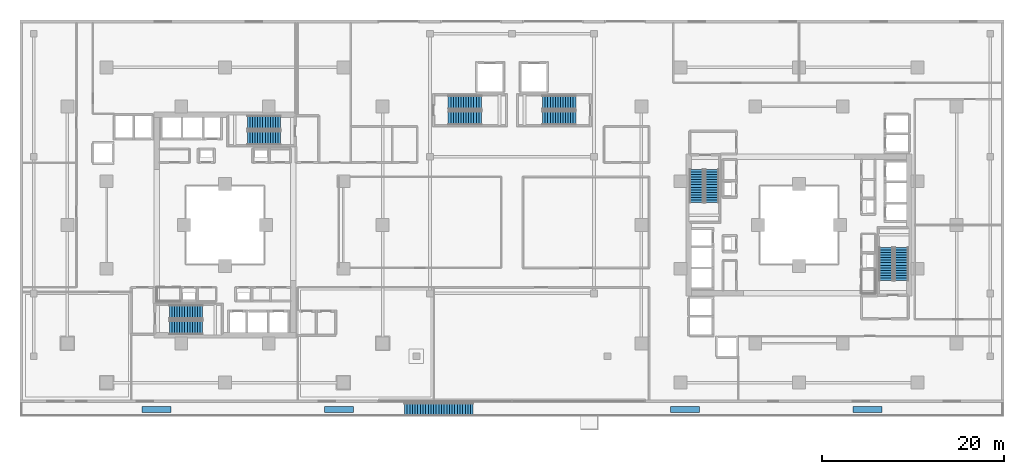
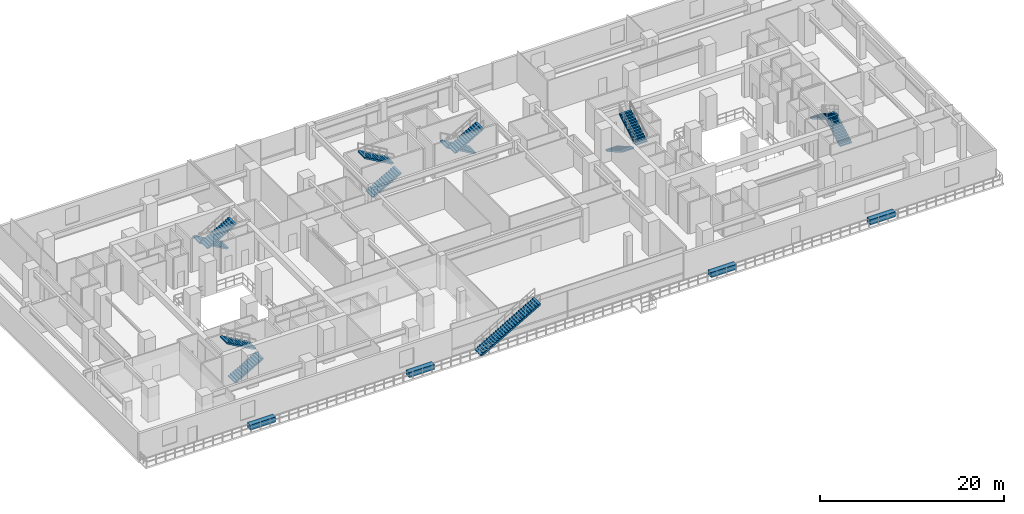
# One storey, part 20 of 25: 13 stair flights, 4 discrete accessories, 7 elements without a shape of their own.
"""IFC4 building model written with IfcOpenShell, lengths in metres."""

from ifc_helpers import new_model, si_unit, direction, frame, origin, origin_2d, place, context, subcontext, project, spatial, polyline, rectangle, outline, extrude, material, type_object, element, aggregate, save


model = new_model("IFC4")

# Units and contexts
model_context = context("Model", 3, precision=1e-05, world=origin(), true_north=direction((0.0, 1.0)))
body_context = subcontext(model_context, "Body", "Model", "MODEL_VIEW")
ifc_project = project(units=[si_unit("LENGTHUNIT", "METRE"), si_unit("AREAUNIT", "SQUARE_METRE"), si_unit("VOLUMEUNIT", "CUBIC_METRE"), si_unit("PLANEANGLEUNIT", "RADIAN"), si_unit("MASSUNIT", "GRAM", prefix="KILO")], contexts=[model_context])

# Site, building, storey
site_placement = place(None, origin())
site = spatial("IfcSite", under=ifc_project, at=site_placement, CompositionType="ELEMENT")
building_placement = place(site_placement, origin())
building = spatial("IfcBuilding", under=site, at=building_placement, Name="Thornwick Lancets Civic Towers", CompositionType="ELEMENT")
storey_placement = place(building_placement, frame((0.0, 0.0, 9.60009765625)))
storey = spatial("IfcBuildingStorey", under=building, at=storey_placement, Name="L02", CompositionType="ELEMENT", Elevation=9.60009765625)

# Stair, stair flights
ifc_material_1 = material(Name="Concrete C40/50", Category="concrete")
stair_type_1 = type_object("IfcStairType", Name="STAIR_DL_4500", PredefinedType="HALF_TURN_STAIR", material=ifc_material_1)
stair_1_placement = place(storey_placement, origin())
stair_1 = element("IfcStair", 1, at=stair_1_placement, inside=storey, type_object=stair_type_1, Name="L02 Tower A South Exit Stair ST-A1", PredefinedType="HALF_TURN_STAIR")
stair_flight_type_1 = type_object("IfcStairFlightType", Name="FLIGHT_4500", PredefinedType="STRAIGHT", material=ifc_material_1)
stair_flight_1_placement = place(storey_placement, frame((19.39990234375, 15.75, 0.0), z_axis=(0.0, 0.0, 1.0), x_axis=(1.0, 0.0, 0.0)))
stair_flight_1 = element("IfcStairFlight", 2, at=stair_flight_1_placement, type_object=stair_flight_type_1, Name="ST-A1 flight 1", NumberOfRisers=14, NumberOfTreads=13, PredefinedType="STRAIGHT", RiserHeight=0.160714286, TreadLength=0.28, context=body_context, shape_type="SweptSolid", body=[
    extrude(outline(polyline([(0.0, 0.0), (0.0, 0.16064453125), (0.280029296875, 0.16064453125), (0.280029296875, 0.321533203125), (0.56005859375, 0.321533203125), (0.56005859375, 0.482177734375), (0.840087890625, 0.482177734375), (0.840087890625, 0.642822265625), (1.1201171875, 0.642822265625), (1.1201171875, 0.803466796875), (1.39990234375, 0.803466796875), (1.39990234375, 0.96435546875), (1.679931640625, 0.96435546875), (1.679931640625, 1.125), (1.9599609375, 1.125), (1.9599609375, 1.28564453125), (2.239990234375, 1.28564453125), (2.239990234375, 1.446533203125), (2.52001953125, 1.446533203125), (2.52001953125, 1.607177734375), (2.800048828125, 1.607177734375), (2.800048828125, 1.767822265625), (3.080078125, 1.767822265625), (3.080078125, 1.928466796875), (3.360107421875, 1.928466796875), (3.360107421875, 2.08935546875), (3.639892578125, 2.08935546875), (3.639892578125, 2.25), (3.639892578125, 1.91650390625), (0.301025390625, 0.0), (0.0, 0.0)])), frame((0.0, 0.75, 0.0), z_axis=(0.0, -1.0, 0.0), x_axis=(1.0, 0.0, 0.0)), (0.0, 0.0, 1.0), 1.5),
])
stair_flight_2_placement = place(storey_placement, frame((23.0400390625, 17.449951171875, 2.25), z_axis=(0.0, 0.0, 1.0), x_axis=(-1.0, 0.0, 0.0)))
stair_flight_2 = element("IfcStairFlight", 3, at=stair_flight_2_placement, type_object=stair_flight_type_1, Name="ST-A1 flight 2", NumberOfRisers=14, NumberOfTreads=13, PredefinedType="STRAIGHT", RiserHeight=0.160714286, TreadLength=0.28, context=body_context, shape_type="SweptSolid", body=[
    extrude(outline(polyline([(0.0, 0.0), (0.0, 0.16064453125), (0.280029296875, 0.16064453125), (0.280029296875, 0.321533203125), (0.56005859375, 0.321533203125), (0.56005859375, 0.482177734375), (0.840087890625, 0.482177734375), (0.840087890625, 0.642822265625), (1.1201171875, 0.642822265625), (1.1201171875, 0.803466796875), (1.39990234375, 0.803466796875), (1.39990234375, 0.96435546875), (1.679931640625, 0.96435546875), (1.679931640625, 1.125), (1.9599609375, 1.125), (1.9599609375, 1.28564453125), (2.239990234375, 1.28564453125), (2.239990234375, 1.446533203125), (2.52001953125, 1.446533203125), (2.52001953125, 1.607177734375), (2.800048828125, 1.607177734375), (2.800048828125, 1.767822265625), (3.080078125, 1.767822265625), (3.080078125, 1.928466796875), (3.360107421875, 1.928466796875), (3.360107421875, 2.08935546875), (3.639892578125, 2.08935546875), (3.639892578125, 2.25), (3.639892578125, 1.91650390625), (0.301025390625, 0.0), (0.0, 0.0)])), frame((0.0, 0.75, 0.0), z_axis=(0.0, -1.0, 0.0), x_axis=(1.0, 0.0, 0.0)), (0.0, 0.0, 1.0), 1.5),
])
aggregate(stair_1, [stair_flight_1, stair_flight_2])

stair_2_placement = place(storey_placement, origin())
stair_2 = element("IfcStair", 4, at=stair_2_placement, inside=storey, type_object=stair_type_1, Name="L02 Tower A North Exit Stair ST-A2", PredefinedType="HALF_TURN_STAIR")
stair_flight_3_placement = place(storey_placement, frame((31.60009765625, 38.25, 0.0), z_axis=(0.0, 0.0, 1.0), x_axis=(-1.0, 0.0, 0.0)))
stair_flight_3 = element("IfcStairFlight", 5, at=stair_flight_3_placement, type_object=stair_flight_type_1, Name="ST-A2 flight 1", NumberOfRisers=14, NumberOfTreads=13, PredefinedType="STRAIGHT", RiserHeight=0.160714286, TreadLength=0.28, context=body_context, shape_type="SweptSolid", body=[
    extrude(outline(polyline([(0.0, 0.0), (0.0, 0.16064453125), (0.280029296875, 0.16064453125), (0.280029296875, 0.321533203125), (0.56005859375, 0.321533203125), (0.56005859375, 0.482177734375), (0.840087890625, 0.482177734375), (0.840087890625, 0.642822265625), (1.1201171875, 0.642822265625), (1.1201171875, 0.803466796875), (1.39990234375, 0.803466796875), (1.39990234375, 0.96435546875), (1.679931640625, 0.96435546875), (1.679931640625, 1.125), (1.9599609375, 1.125), (1.9599609375, 1.28564453125), (2.239990234375, 1.28564453125), (2.239990234375, 1.446533203125), (2.52001953125, 1.446533203125), (2.52001953125, 1.607177734375), (2.800048828125, 1.607177734375), (2.800048828125, 1.767822265625), (3.080078125, 1.767822265625), (3.080078125, 1.928466796875), (3.360107421875, 1.928466796875), (3.360107421875, 2.08935546875), (3.639892578125, 2.08935546875), (3.639892578125, 2.25), (3.639892578125, 1.91650390625), (0.301025390625, 0.0), (0.0, 0.0)])), frame((0.0, 0.75, 0.0), z_axis=(0.0, -1.0, 0.0), x_axis=(1.0, 0.0, 0.0)), (0.0, 0.0, 1.0), 1.5),
])
stair_flight_4_placement = place(storey_placement, frame((27.9599609375, 36.550048828125, 2.25), z_axis=(0.0, 0.0, 1.0), x_axis=(1.0, 0.0, 0.0)))
stair_flight_4 = element("IfcStairFlight", 6, at=stair_flight_4_placement, type_object=stair_flight_type_1, Name="ST-A2 flight 2", NumberOfRisers=14, NumberOfTreads=13, PredefinedType="STRAIGHT", RiserHeight=0.160714286, TreadLength=0.28, context=body_context, shape_type="SweptSolid", body=[
    extrude(outline(polyline([(0.0, 0.0), (0.0, 0.16064453125), (0.280029296875, 0.16064453125), (0.280029296875, 0.321533203125), (0.56005859375, 0.321533203125), (0.56005859375, 0.482177734375), (0.840087890625, 0.482177734375), (0.840087890625, 0.642822265625), (1.1201171875, 0.642822265625), (1.1201171875, 0.803466796875), (1.39990234375, 0.803466796875), (1.39990234375, 0.96435546875), (1.679931640625, 0.96435546875), (1.679931640625, 1.125), (1.9599609375, 1.125), (1.9599609375, 1.28564453125), (2.239990234375, 1.28564453125), (2.239990234375, 1.446533203125), (2.52001953125, 1.446533203125), (2.52001953125, 1.607177734375), (2.800048828125, 1.607177734375), (2.800048828125, 1.767822265625), (3.080078125, 1.767822265625), (3.080078125, 1.928466796875), (3.360107421875, 1.928466796875), (3.360107421875, 2.08935546875), (3.639892578125, 2.08935546875), (3.639892578125, 2.25), (3.639892578125, 1.91650390625), (0.301025390625, 0.0), (0.0, 0.0)])), frame((0.0, 0.75, 0.0), z_axis=(0.0, -1.0, 0.0), x_axis=(1.0, 0.0, 0.0)), (0.0, 0.0, 1.0), 1.5),
])
aggregate(stair_2, [stair_flight_3, stair_flight_4])

stair_3_placement = place(storey_placement, origin())
stair_3 = element("IfcStair", 7, at=stair_3_placement, inside=storey, type_object=stair_type_1, Name="L02 Tower B East Exit Stair ST-B1", PredefinedType="HALF_TURN_STAIR")
stair_flight_5_placement = place(storey_placement, frame((99.75, 20.89990234375, 0.0), z_axis=(0.0, 0.0, 1.0), x_axis=(0.0, 1.0, 0.0)))
stair_flight_5 = element("IfcStairFlight", 8, at=stair_flight_5_placement, type_object=stair_flight_type_1, Name="ST-B1 flight 1", NumberOfRisers=14, NumberOfTreads=13, PredefinedType="STRAIGHT", RiserHeight=0.160714286, TreadLength=0.28, context=body_context, shape_type="SweptSolid", body=[
    extrude(outline(polyline([(0.0, 0.0), (0.0, 0.16064453125), (0.280029296875, 0.16064453125), (0.280029296875, 0.321533203125), (0.56005859375, 0.321533203125), (0.56005859375, 0.482177734375), (0.840087890625, 0.482177734375), (0.840087890625, 0.642822265625), (1.1201171875, 0.642822265625), (1.1201171875, 0.803466796875), (1.39990234375, 0.803466796875), (1.39990234375, 0.96435546875), (1.679931640625, 0.96435546875), (1.679931640625, 1.125), (1.9599609375, 1.125), (1.9599609375, 1.28564453125), (2.239990234375, 1.28564453125), (2.239990234375, 1.446533203125), (2.52001953125, 1.446533203125), (2.52001953125, 1.607177734375), (2.800048828125, 1.607177734375), (2.800048828125, 1.767822265625), (3.080078125, 1.767822265625), (3.080078125, 1.928466796875), (3.360107421875, 1.928466796875), (3.360107421875, 2.08935546875), (3.639892578125, 2.08935546875), (3.639892578125, 2.25), (3.639892578125, 1.91650390625), (0.301025390625, 0.0), (0.0, 0.0)])), frame((0.0, 0.75, 0.0), z_axis=(0.0, -1.0, 0.0), x_axis=(1.0, 0.0, 0.0)), (0.0, 0.0, 1.0), 1.5),
])
stair_flight_6_placement = place(storey_placement, frame((98.050048828125, 24.5400390625, 2.25), z_axis=(0.0, 0.0, 1.0), x_axis=(0.0, -1.0, 0.0)))
stair_flight_6 = element("IfcStairFlight", 9, at=stair_flight_6_placement, type_object=stair_flight_type_1, Name="ST-B1 flight 2", NumberOfRisers=14, NumberOfTreads=13, PredefinedType="STRAIGHT", RiserHeight=0.160714286, TreadLength=0.28, context=body_context, shape_type="SweptSolid", body=[
    extrude(outline(polyline([(0.0, 0.0), (0.0, 0.16064453125), (0.280029296875, 0.16064453125), (0.280029296875, 0.321533203125), (0.56005859375, 0.321533203125), (0.56005859375, 0.482177734375), (0.840087890625, 0.482177734375), (0.840087890625, 0.642822265625), (1.1201171875, 0.642822265625), (1.1201171875, 0.803466796875), (1.39990234375, 0.803466796875), (1.39990234375, 0.96435546875), (1.679931640625, 0.96435546875), (1.679931640625, 1.125), (1.9599609375, 1.125), (1.9599609375, 1.28564453125), (2.239990234375, 1.28564453125), (2.239990234375, 1.446533203125), (2.52001953125, 1.446533203125), (2.52001953125, 1.607177734375), (2.800048828125, 1.607177734375), (2.800048828125, 1.767822265625), (3.080078125, 1.767822265625), (3.080078125, 1.928466796875), (3.360107421875, 1.928466796875), (3.360107421875, 2.08935546875), (3.639892578125, 2.08935546875), (3.639892578125, 2.25), (3.639892578125, 1.91650390625), (0.301025390625, 0.0), (0.0, 0.0)])), frame((0.0, 0.75, 0.0), z_axis=(0.0, -1.0, 0.0), x_axis=(1.0, 0.0, 0.0)), (0.0, 0.0, 1.0), 1.5),
])
aggregate(stair_3, [stair_flight_5, stair_flight_6])

stair_4_placement = place(storey_placement, origin())
stair_4 = element("IfcStair", 10, at=stair_4_placement, inside=storey, type_object=stair_type_1, Name="L02 Tower B West Exit Stair ST-B2", PredefinedType="HALF_TURN_STAIR")
stair_flight_7_placement = place(storey_placement, frame((77.25, 33.10009765625, 0.0), z_axis=(0.0, 0.0, 1.0), x_axis=(0.0, -1.0, 0.0)))
stair_flight_7 = element("IfcStairFlight", 11, at=stair_flight_7_placement, type_object=stair_flight_type_1, Name="ST-B2 flight 1", NumberOfRisers=14, NumberOfTreads=13, PredefinedType="STRAIGHT", RiserHeight=0.160714286, TreadLength=0.28, context=body_context, shape_type="SweptSolid", body=[
    extrude(outline(polyline([(0.0, 0.0), (0.0, 0.16064453125), (0.280029296875, 0.16064453125), (0.280029296875, 0.321533203125), (0.56005859375, 0.321533203125), (0.56005859375, 0.482177734375), (0.840087890625, 0.482177734375), (0.840087890625, 0.642822265625), (1.1201171875, 0.642822265625), (1.1201171875, 0.803466796875), (1.39990234375, 0.803466796875), (1.39990234375, 0.96435546875), (1.679931640625, 0.96435546875), (1.679931640625, 1.125), (1.9599609375, 1.125), (1.9599609375, 1.28564453125), (2.239990234375, 1.28564453125), (2.239990234375, 1.446533203125), (2.52001953125, 1.446533203125), (2.52001953125, 1.607177734375), (2.800048828125, 1.607177734375), (2.800048828125, 1.767822265625), (3.080078125, 1.767822265625), (3.080078125, 1.928466796875), (3.360107421875, 1.928466796875), (3.360107421875, 2.08935546875), (3.639892578125, 2.08935546875), (3.639892578125, 2.25), (3.639892578125, 1.91650390625), (0.301025390625, 0.0), (0.0, 0.0)])), frame((0.0, 0.75, 0.0), z_axis=(0.0, -1.0, 0.0), x_axis=(1.0, 0.0, 0.0)), (0.0, 0.0, 1.0), 1.5),
])
stair_flight_8_placement = place(storey_placement, frame((78.949951171875, 29.4599609375, 2.25), z_axis=(0.0, 0.0, 1.0), x_axis=(0.0, 1.0, 0.0)))
stair_flight_8 = element("IfcStairFlight", 12, at=stair_flight_8_placement, type_object=stair_flight_type_1, Name="ST-B2 flight 2", NumberOfRisers=14, NumberOfTreads=13, PredefinedType="STRAIGHT", RiserHeight=0.160714286, TreadLength=0.28, context=body_context, shape_type="SweptSolid", body=[
    extrude(outline(polyline([(0.0, 0.0), (0.0, 0.16064453125), (0.280029296875, 0.16064453125), (0.280029296875, 0.321533203125), (0.56005859375, 0.321533203125), (0.56005859375, 0.482177734375), (0.840087890625, 0.482177734375), (0.840087890625, 0.642822265625), (1.1201171875, 0.642822265625), (1.1201171875, 0.803466796875), (1.39990234375, 0.803466796875), (1.39990234375, 0.96435546875), (1.679931640625, 0.96435546875), (1.679931640625, 1.125), (1.9599609375, 1.125), (1.9599609375, 1.28564453125), (2.239990234375, 1.28564453125), (2.239990234375, 1.446533203125), (2.52001953125, 1.446533203125), (2.52001953125, 1.607177734375), (2.800048828125, 1.607177734375), (2.800048828125, 1.767822265625), (3.080078125, 1.767822265625), (3.080078125, 1.928466796875), (3.360107421875, 1.928466796875), (3.360107421875, 2.08935546875), (3.639892578125, 2.08935546875), (3.639892578125, 2.25), (3.639892578125, 1.91650390625), (0.301025390625, 0.0), (0.0, 0.0)])), frame((0.0, 0.75, 0.0), z_axis=(0.0, -1.0, 0.0), x_axis=(1.0, 0.0, 0.0)), (0.0, 0.0, 1.0), 1.5),
])
aggregate(stair_4, [stair_flight_7, stair_flight_8])

stair_5_placement = place(storey_placement, origin())
stair_5 = element("IfcStair", 13, at=stair_5_placement, inside=storey, type_object=stair_type_1, Name="L02 Podium Central West Exit Stair ST-P5", PredefinedType="HALF_TURN_STAIR")
stair_flight_9_placement = place(storey_placement, frame((50.0, 38.75, 0.0), z_axis=(0.0, 0.0, 1.0), x_axis=(1.0, 0.0, 0.0)))
stair_flight_9 = element("IfcStairFlight", 14, at=stair_flight_9_placement, type_object=stair_flight_type_1, Name="ST-P5 flight 1", NumberOfRisers=14, NumberOfTreads=13, PredefinedType="STRAIGHT", RiserHeight=0.160714286, TreadLength=0.28, context=body_context, shape_type="SweptSolid", body=[
    extrude(outline(polyline([(0.0, 0.0), (0.0, 0.16064453125), (0.280029296875, 0.16064453125), (0.280029296875, 0.321533203125), (0.56005859375, 0.321533203125), (0.56005859375, 0.482177734375), (0.840087890625, 0.482177734375), (0.840087890625, 0.642822265625), (1.1201171875, 0.642822265625), (1.1201171875, 0.803466796875), (1.39990234375, 0.803466796875), (1.39990234375, 0.96435546875), (1.679931640625, 0.96435546875), (1.679931640625, 1.125), (1.9599609375, 1.125), (1.9599609375, 1.28564453125), (2.239990234375, 1.28564453125), (2.239990234375, 1.446533203125), (2.52001953125, 1.446533203125), (2.52001953125, 1.607177734375), (2.800048828125, 1.607177734375), (2.800048828125, 1.767822265625), (3.080078125, 1.767822265625), (3.080078125, 1.928466796875), (3.360107421875, 1.928466796875), (3.360107421875, 2.08935546875), (3.639892578125, 2.08935546875), (3.639892578125, 2.25), (3.639892578125, 1.91650390625), (0.301025390625, 0.0), (0.0, 0.0)])), frame((0.0, 0.75, 0.0), z_axis=(0.0, -1.0, 0.0), x_axis=(1.0, 0.0, 0.0)), (0.0, 0.0, 1.0), 1.5),
])
stair_flight_10_placement = place(storey_placement, frame((53.639892578125, 40.449951171875, 2.25), z_axis=(0.0, 0.0, 1.0), x_axis=(-1.0, 0.0, 0.0)))
stair_flight_10 = element("IfcStairFlight", 15, at=stair_flight_10_placement, type_object=stair_flight_type_1, Name="ST-P5 flight 2", NumberOfRisers=14, NumberOfTreads=13, PredefinedType="STRAIGHT", RiserHeight=0.160714286, TreadLength=0.28, context=body_context, shape_type="SweptSolid", body=[
    extrude(outline(polyline([(0.0, 0.0), (0.0, 0.16064453125), (0.280029296875, 0.16064453125), (0.280029296875, 0.321533203125), (0.56005859375, 0.321533203125), (0.56005859375, 0.482177734375), (0.840087890625, 0.482177734375), (0.840087890625, 0.642822265625), (1.1201171875, 0.642822265625), (1.1201171875, 0.803466796875), (1.39990234375, 0.803466796875), (1.39990234375, 0.96435546875), (1.679931640625, 0.96435546875), (1.679931640625, 1.125), (1.9599609375, 1.125), (1.9599609375, 1.28564453125), (2.239990234375, 1.28564453125), (2.239990234375, 1.446533203125), (2.52001953125, 1.446533203125), (2.52001953125, 1.607177734375), (2.800048828125, 1.607177734375), (2.800048828125, 1.767822265625), (3.080078125, 1.767822265625), (3.080078125, 1.928466796875), (3.360107421875, 1.928466796875), (3.360107421875, 2.08935546875), (3.639892578125, 2.08935546875), (3.639892578125, 2.25), (3.639892578125, 1.91650390625), (0.301025390625, 0.0), (0.0, 0.0)])), frame((0.0, 0.75, 0.0), z_axis=(0.0, -1.0, 0.0), x_axis=(1.0, 0.0, 0.0)), (0.0, 0.0, 1.0), 1.5),
])
aggregate(stair_5, [stair_flight_9, stair_flight_10])

stair_6_placement = place(storey_placement, origin())
stair_6 = element("IfcStair", 16, at=stair_6_placement, inside=storey, type_object=stair_type_1, Name="L02 Podium Central East Exit Stair ST-P6", PredefinedType="HALF_TURN_STAIR")
stair_flight_11_placement = place(storey_placement, frame((64.0, 40.449951171875, 0.0), z_axis=(0.0, 0.0, 1.0), x_axis=(-1.0, 0.0, 0.0)))
stair_flight_11 = element("IfcStairFlight", 17, at=stair_flight_11_placement, type_object=stair_flight_type_1, Name="ST-P6 flight 1", NumberOfRisers=14, NumberOfTreads=13, PredefinedType="STRAIGHT", RiserHeight=0.160714286, TreadLength=0.28, context=body_context, shape_type="SweptSolid", body=[
    extrude(outline(polyline([(0.0, 0.0), (0.0, 0.16064453125), (0.280029296875, 0.16064453125), (0.280029296875, 0.321533203125), (0.56005859375, 0.321533203125), (0.56005859375, 0.482177734375), (0.840087890625, 0.482177734375), (0.840087890625, 0.642822265625), (1.1201171875, 0.642822265625), (1.1201171875, 0.803466796875), (1.39990234375, 0.803466796875), (1.39990234375, 0.96435546875), (1.679931640625, 0.96435546875), (1.679931640625, 1.125), (1.9599609375, 1.125), (1.9599609375, 1.28564453125), (2.239990234375, 1.28564453125), (2.239990234375, 1.446533203125), (2.52001953125, 1.446533203125), (2.52001953125, 1.607177734375), (2.800048828125, 1.607177734375), (2.800048828125, 1.767822265625), (3.080078125, 1.767822265625), (3.080078125, 1.928466796875), (3.360107421875, 1.928466796875), (3.360107421875, 2.08935546875), (3.639892578125, 2.08935546875), (3.639892578125, 2.25), (3.639892578125, 1.91650390625), (0.301025390625, 0.0), (0.0, 0.0)])), frame((0.0, 0.75, 0.0), z_axis=(0.0, -1.0, 0.0), x_axis=(1.0, 0.0, 0.0)), (0.0, 0.0, 1.0), 1.5),
])
stair_flight_12_placement = place(storey_placement, frame((60.360107421875, 38.75, 2.25), z_axis=(0.0, 0.0, 1.0), x_axis=(1.0, 0.0, 0.0)))
stair_flight_12 = element("IfcStairFlight", 18, at=stair_flight_12_placement, type_object=stair_flight_type_1, Name="ST-P6 flight 2", NumberOfRisers=14, NumberOfTreads=13, PredefinedType="STRAIGHT", RiserHeight=0.160714286, TreadLength=0.28, context=body_context, shape_type="SweptSolid", body=[
    extrude(outline(polyline([(0.0, 0.0), (0.0, 0.16064453125), (0.280029296875, 0.16064453125), (0.280029296875, 0.321533203125), (0.56005859375, 0.321533203125), (0.56005859375, 0.482177734375), (0.840087890625, 0.482177734375), (0.840087890625, 0.642822265625), (1.1201171875, 0.642822265625), (1.1201171875, 0.803466796875), (1.39990234375, 0.803466796875), (1.39990234375, 0.96435546875), (1.679931640625, 0.96435546875), (1.679931640625, 1.125), (1.9599609375, 1.125), (1.9599609375, 1.28564453125), (2.239990234375, 1.28564453125), (2.239990234375, 1.446533203125), (2.52001953125, 1.446533203125), (2.52001953125, 1.607177734375), (2.800048828125, 1.607177734375), (2.800048828125, 1.767822265625), (3.080078125, 1.767822265625), (3.080078125, 1.928466796875), (3.360107421875, 1.928466796875), (3.360107421875, 2.08935546875), (3.639892578125, 2.08935546875), (3.639892578125, 2.25), (3.639892578125, 1.91650390625), (0.301025390625, 0.0), (0.0, 0.0)])), frame((0.0, 0.75, 0.0), z_axis=(0.0, -1.0, 0.0), x_axis=(1.0, 0.0, 0.0)), (0.0, 0.0, 1.0), 1.5),
])
aggregate(stair_6, [stair_flight_11, stair_flight_12])

# Stair, stair flight
ifc_material_2 = material(Name="Granite-faced concrete C40/50", Category="masonry")
stair_type_2 = type_object("IfcStairType", Name="STAIR_CASCADE", PredefinedType="STRAIGHT_RUN_STAIR", material=ifc_material_2)
stair_7_placement = place(storey_placement, origin())
stair_7 = element("IfcStair", 19, at=stair_7_placement, inside=storey, type_object=stair_type_2, Name="L02 Cascading Garden Stair 3", PredefinedType="STRAIGHT_RUN_STAIR")
stair_flight_type_2 = type_object("IfcStairFlightType", Name="FLIGHT_CASCADE", PredefinedType="STRAIGHT", material=ifc_material_2)
stair_flight_13_placement = place(storey_placement, frame((45.199951171875, 6.760009765625, 0.0), z_axis=(0.0, 0.0, 1.0), x_axis=(1.0, 0.0, 0.0)))
stair_flight_13 = element("IfcStairFlight", 20, at=stair_flight_13_placement, type_object=stair_flight_type_2, Name="STC-3 flight 1", NumberOfRisers=27, NumberOfTreads=26, PredefinedType="STRAIGHT", RiserHeight=0.166667, TreadLength=0.29, context=body_context, shape_type="SweptSolid", body=[
    extrude(outline(polyline([(0.0, 0.0), (0.0, 0.166748046875), (0.2900390625, 0.166748046875), (0.2900390625, 0.333251953125), (0.580078125, 0.333251953125), (0.580078125, 0.5), (0.8701171875, 0.5), (0.8701171875, 0.666748046875), (1.159912109375, 0.666748046875), (1.159912109375, 0.833251953125), (1.449951171875, 0.833251953125), (1.449951171875, 1.0), (1.739990234375, 1.0), (1.739990234375, 1.166748046875), (2.030029296875, 1.166748046875), (2.030029296875, 1.333251953125), (2.320068359375, 1.333251953125), (2.320068359375, 1.5), (2.610107421875, 1.5), (2.610107421875, 1.666748046875), (2.89990234375, 1.666748046875), (2.89990234375, 1.833251953125), (3.18994140625, 1.833251953125), (3.18994140625, 2.0), (3.47998046875, 2.0), (3.47998046875, 2.166748046875), (3.77001953125, 2.166748046875), (3.77001953125, 2.333251953125), (4.06005859375, 2.333251953125), (4.06005859375, 2.5), (4.35009765625, 2.5), (4.35009765625, 2.666748046875), (4.639892578125, 2.666748046875), (4.639892578125, 2.833251953125), (4.929931640625, 2.833251953125), (4.929931640625, 3.0), (5.219970703125, 3.0), (5.219970703125, 3.166748046875), (5.510009765625, 3.166748046875), (5.510009765625, 3.333251953125), (5.800048828125, 3.333251953125), (5.800048828125, 3.5), (6.090087890625, 3.5), (6.090087890625, 3.666748046875), (6.3798828125, 3.666748046875), (6.3798828125, 3.833251953125), (6.669921875, 3.833251953125), (6.669921875, 4.0), (6.9599609375, 4.0), (6.9599609375, 4.166748046875), (7.25, 4.166748046875), (7.25, 4.333251953125), (7.5400390625, 4.333251953125), (7.5400390625, 4.5), (7.5400390625, 4.125732421875), (0.361083984375, 0.0), (0.0, 0.0)])), frame((0.0, 0.68994140625, 0.0), z_axis=(0.0, -1.0, 0.0), x_axis=(1.0, 0.0, 0.0)), (0.0, 0.0, 1.0), 1.3798828125),
])
aggregate(stair_7, [stair_flight_13])

# Discrete accessories
ifc_material_3 = material(Name="Planted terracotta greenery planter", Category="masonry")
discrete_accessory_type = type_object("IfcDiscreteAccessoryType", Name="ACC_PLANTER_BOX", PredefinedType="USERDEFINED", material=ifc_material_3)
for number, where, z_axis, x_axis, name in (
    (21, (18.0, 6.75, 0.0), (0.0, 0.0, 1.0), (1.0, 0.0, 0.0), "L02 Cascading Terrace Planter 18"),
    (22, (38.0, 6.75, 0.0), (0.0, 0.0, 1.0), (1.0, 0.0, 0.0), "L02 Cascading Terrace Planter 38"),
    (23, (76.0, 6.75, 0.0), (0.0, 0.0, 1.0), (1.0, 0.0, 0.0), "L02 Cascading Terrace Planter 76"),
    (24, (96.0, 6.75, 0.0), (0.0, 0.0, 1.0), (1.0, 0.0, 0.0), "L02 Cascading Terrace Planter 96"),
):
    element("IfcDiscreteAccessory", number, at=place(storey_placement, frame(where, z_axis=z_axis, x_axis=x_axis)), inside=storey, type_object=discrete_accessory_type, Name=name, ObjectType="PLANTER", PredefinedType="USERDEFINED", context=body_context, shape_type="SweptSolid", body=[
        extrude(rectangle(XDim=3.199951171875, YDim=0.64990234375, at=origin_2d()), origin(), (0.0, 0.0, 1.0), 0.64990234375),
    ])

save(model, "model.ifc")
